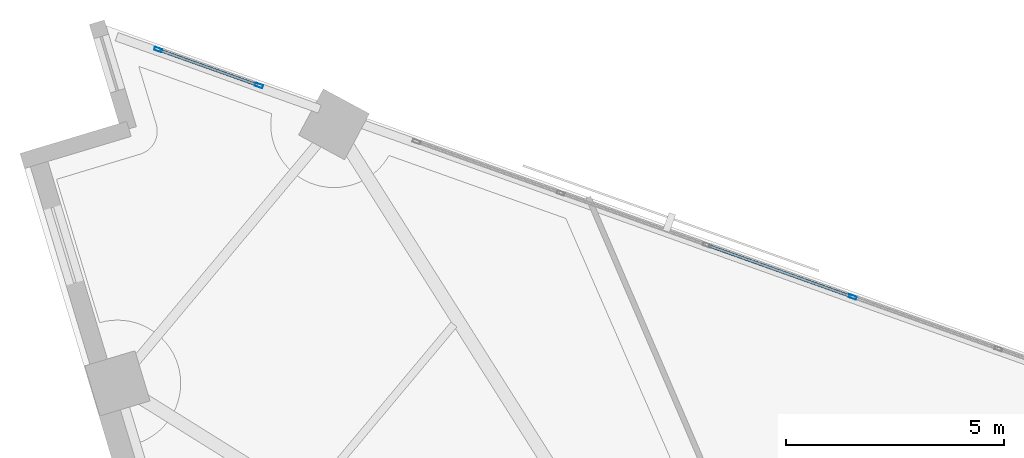
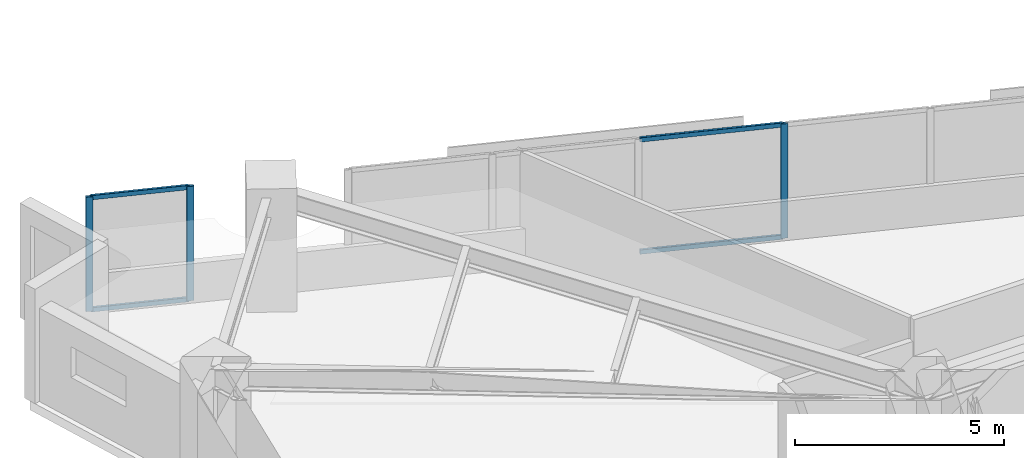
# One storey, part 7 of 14: 7 members, 2 elements without a shape of their own.
"""IFC4 building model written with IfcOpenShell, lengths in metres."""

from ifc_helpers import new_model, si_unit, direction, frame, origin, origin_2d, place, context, subcontext, project, spatial, hollow_rectangle, extrude, material, material_profile, profile_set, type_object, element, aggregate, save


model = new_model("IFC4")

# Units and contexts
model_context = context("Model", 3, precision=1e-05, world=origin(), true_north=direction((0.0, 1.0)))
body_context = subcontext(model_context, "Body", "Model", "MODEL_VIEW")
ifc_project = project(units=[si_unit("LENGTHUNIT", "METRE"), si_unit("AREAUNIT", "SQUARE_METRE"), si_unit("VOLUMEUNIT", "CUBIC_METRE"), si_unit("PLANEANGLEUNIT", "RADIAN"), si_unit("MASSUNIT", "GRAM", prefix="KILO")], contexts=[model_context])

# Site, building, storey
site_placement = place(None, origin())
site = spatial("IfcSite", under=ifc_project, at=site_placement, CompositionType="ELEMENT")
building_placement = place(site_placement, origin())
building = spatial("IfcBuilding", under=site, at=building_placement, Name="Narakoshi Arena Tower", CompositionType="ELEMENT")
storey_placement = place(building_placement, frame((0.0, 0.0, 135.89990234375)))
storey = spatial("IfcBuildingStorey", under=building, at=storey_placement, Name="L36", CompositionType="ELEMENT", Elevation=135.89990234375)

# Curtain wall, member
ifc_material = material(Name="Anodised bronze aluminium 6063-T6", Category="aluminium")
curtain_wall_type = type_object("IfcCurtainWallType", Name="CW-HYP-MID", PredefinedType="NOTDEFINED", material=ifc_material)
curtain_wall_1_placement = place(storey_placement, origin())
curtain_wall_1 = element("IfcCurtainWall", 1, at=curtain_wall_1_placement, inside=storey, type_object=curtain_wall_type, Name="L36 Folded Hypotenuse Curtain Wall 2-1", PredefinedType="NOTDEFINED")
ifc_material_profile_1 = material_profile(ifc_material, hollow_rectangle(XDim=0.074951171875, YDim=0.179931640625, WallThickness=0.00390625, OuterFilletRadius=0.0048828125, at=origin_2d()), Name="MUL180x75x4")
ifc_profile_set_1 = profile_set([ifc_material_profile_1], Name="Anodised bronze aluminium 6063-T6")
member_type_1 = type_object("IfcMemberType", Name="MEM-MUL-180", PredefinedType="MULLION", material=ifc_profile_set_1)
member_1_placement = place(storey_placement, frame((74.43701171875, 67.490966796875, 0.0), z_axis=(0.0, 0.0, 1.0), x_axis=(-0.335518297139, -0.94203368957, 0.0)))
member_1 = element("IfcMember", 2, at=member_1_placement, type_object=member_type_1, Name="CW-02 mullion 5", PredefinedType="MULLION", context=body_context, shape_type="SweptSolid", body=[
    extrude(hollow_rectangle(XDim=0.074951171875, YDim=0.179931640625, WallThickness=0.00390625, OuterFilletRadius=0.0048828125, at=origin_2d()), origin(), (0.0, 0.0, 1.0), 3.340087890625),
])

# Curtain wall, members
curtain_wall_2_placement = place(storey_placement, origin())
curtain_wall_2 = element("IfcCurtainWall", 3, at=curtain_wall_2_placement, inside=storey, type_object=curtain_wall_type, Name="L36 Folded Hypotenuse Curtain Wall 2-2", PredefinedType="NOTDEFINED")
member_2_placement = place(storey_placement, frame((60.826416015625, 72.33837890625, 0.0), z_axis=(0.0, 0.0, 1.0), x_axis=(-0.335541869571, -0.942025293591, 0.0)))
member_2 = element("IfcMember", 4, at=member_2_placement, type_object=member_type_1, Name="CW-02 mullion 1", PredefinedType="MULLION", context=body_context, shape_type="SweptSolid", body=[
    extrude(hollow_rectangle(XDim=0.074951171875, YDim=0.179931640625, WallThickness=0.00390625, OuterFilletRadius=0.0048828125, at=origin_2d()), origin(), (0.0, 0.0, 1.0), 3.340087890625),
])
member_3_placement = place(storey_placement, frame((58.515625, 73.16162109375, 0.0), z_axis=(0.0, 0.0, 1.0), x_axis=(-0.335541869571, -0.942025293591, 0.0)))
member_3 = element("IfcMember", 5, at=member_3_placement, type_object=member_type_1, Name="CW-02 mullion 2", PredefinedType="MULLION", context=body_context, shape_type="SweptSolid", body=[
    extrude(hollow_rectangle(XDim=0.074951171875, YDim=0.179931640625, WallThickness=0.00390625, OuterFilletRadius=0.0048828125, at=origin_2d()), origin(), (0.0, 0.0, 1.0), 3.340087890625),
])

# Member
ifc_material_profile_2 = material_profile(ifc_material, hollow_rectangle(XDim=0.06494140625, YDim=0.1298828125, WallThickness=0.00390625, OuterFilletRadius=0.0048828125, at=origin_2d()), Name="TRN130x65x4")
ifc_profile_set_2 = profile_set([ifc_material_profile_2], Name="Anodised bronze aluminium 6063-T6")
member_type_2 = type_object("IfcMemberType", Name="MEM-TRN-130", PredefinedType="USERDEFINED", material=ifc_profile_set_2)
member_4_placement = place(storey_placement, frame((74.401611328125, 67.50341796875, 0.03271484375), z_axis=(-0.942037165195, 0.335508538477, 0.0), x_axis=(-0.335508538477, -0.942037165195, 0.0)))
member_4 = element("IfcMember", 6, at=member_4_placement, type_object=member_type_2, Name="CW-02 transom 5.1", ObjectType="TRANSOM", PredefinedType="USERDEFINED", context=body_context, shape_type="SweptSolid", body=[
    extrude(hollow_rectangle(XDim=0.06494140625, YDim=0.1298828125, WallThickness=0.00390625, OuterFilletRadius=0.0048828125, at=origin_2d()), origin(), (0.0, 0.0, 1.0), 3.475341796875),
])

member_5_placement = place(storey_placement, frame((74.401611328125, 67.50341796875, 3.3076171875), z_axis=(-0.942037165195, 0.335508538477, 0.0), x_axis=(-0.335508538477, -0.942037165195, 0.0)))
member_5 = element("IfcMember", 7, at=member_5_placement, type_object=member_type_2, Name="CW-02 transom 5.2", ObjectType="TRANSOM", PredefinedType="USERDEFINED", context=body_context, shape_type="SweptSolid", body=[
    extrude(hollow_rectangle(XDim=0.06494140625, YDim=0.1298828125, WallThickness=0.00390625, OuterFilletRadius=0.0048828125, at=origin_2d()), origin(), (0.0, 0.0, 1.0), 3.475341796875),
])

aggregate(curtain_wall_1, [member_1, member_4, member_5])

member_6_placement = place(storey_placement, frame((60.791015625, 72.35107421875, 0.03271484375), z_axis=(-0.942027291531, 0.335536260351, 0.0), x_axis=(-0.335536260351, -0.942027291531, 0.0)))
member_6 = element("IfcMember", 8, at=member_6_placement, type_object=member_type_2, Name="CW-02 transom 1.1", ObjectType="TRANSOM", PredefinedType="USERDEFINED", context=body_context, shape_type="SweptSolid", body=[
    extrude(hollow_rectangle(XDim=0.06494140625, YDim=0.1298828125, WallThickness=0.00390625, OuterFilletRadius=0.0048828125, at=origin_2d()), origin(), (0.0, 0.0, 1.0), 2.3779296875),
])

member_7_placement = place(storey_placement, frame((60.791015625, 72.35107421875, 3.3076171875), z_axis=(-0.942027291531, 0.335536260351, 0.0), x_axis=(-0.335536260351, -0.942027291531, 0.0)))
member_7 = element("IfcMember", 9, at=member_7_placement, type_object=member_type_2, Name="CW-02 transom 1.2", ObjectType="TRANSOM", PredefinedType="USERDEFINED", context=body_context, shape_type="SweptSolid", body=[
    extrude(hollow_rectangle(XDim=0.06494140625, YDim=0.1298828125, WallThickness=0.00390625, OuterFilletRadius=0.0048828125, at=origin_2d()), origin(), (0.0, 0.0, 1.0), 2.3779296875),
])

aggregate(curtain_wall_2, [member_2, member_3, member_6, member_7])

save(model, "model.ifc")
